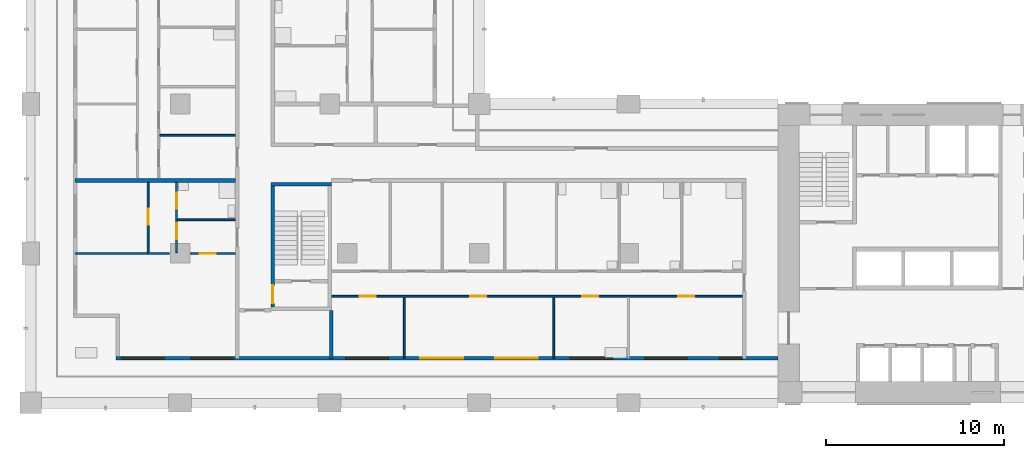
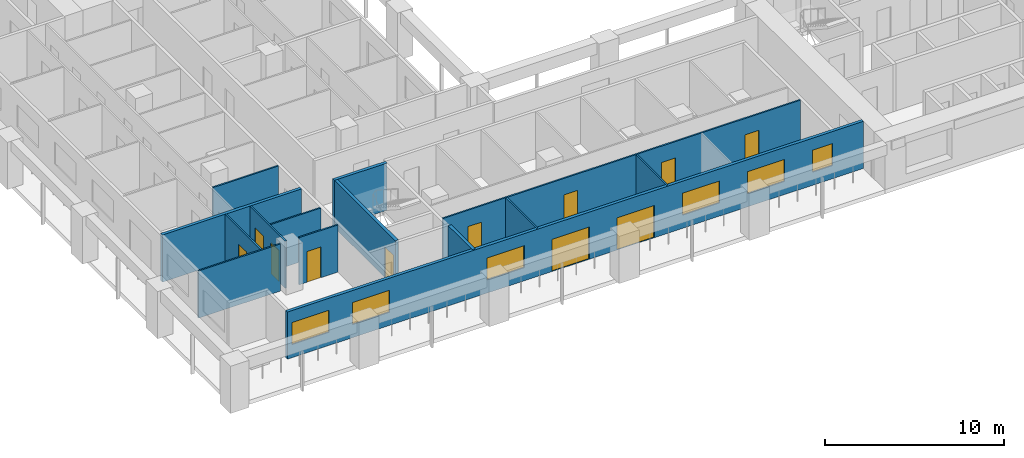
# One storey, part 2 of 17: 14 walls, 11 doors, 6 windows, 17 openings.
"""IFC4 building model written with IfcOpenShell, lengths in metres."""

from ifc_helpers import new_model, si_unit, direction, frame, frame_2d, origin, place, context, subcontext, project, spatial, rectangle, extrude, material, layer, layer_set, type_object, element, fill, save


model = new_model("IFC4")

# Units and contexts
model_context = context("Model", 3, precision=1e-05, world=origin(), true_north=direction((0.0, 1.0)))
body_context = subcontext(model_context, "Body", "Model", "MODEL_VIEW")
ifc_project = project(units=[si_unit("LENGTHUNIT", "METRE"), si_unit("AREAUNIT", "SQUARE_METRE"), si_unit("VOLUMEUNIT", "CUBIC_METRE"), si_unit("PLANEANGLEUNIT", "RADIAN"), si_unit("MASSUNIT", "GRAM", prefix="KILO")], contexts=[model_context])

# Site, building, storey
site_placement = place(None, origin())
site = spatial("IfcSite", under=ifc_project, at=site_placement, CompositionType="ELEMENT")
building_placement = place(site_placement, origin())
building = spatial("IfcBuilding", under=site, at=building_placement, Name="Vermilion Gate Residences", CompositionType="ELEMENT")
storey_placement = place(building_placement, frame((0.0, 0.0, 98.699951171875)))
storey = spatial("IfcBuildingStorey", under=building, at=storey_placement, Name="L24", CompositionType="ELEMENT", Elevation=98.699951171875)

# Wall, openings, doors, windows
ifc_material_1 = material(Name="Insulated steel stud wall with terracotta rainscreen", Category="masonry")
ifc_layer_1 = layer(ifc_material_1, 0.199951171875)
ifc_layer_set_1 = layer_set([ifc_layer_1], Name="EXTERNAL WALL 200 TERRACOTTA RAINSCREEN")
wall_type_1 = type_object("IfcWallType", Name="EXTERNAL WALL 200 TERRACOTTA RAINSCREEN", PredefinedType="SOLIDWALL", material=ifc_layer_set_1)
wall_1_placement = place(storey_placement, frame((4.800048828125, 10.89990234375, 0.0), z_axis=(0.0, 0.0, 1.0), x_axis=(1.0, 0.0, 0.0)))
wall_1 = element("IfcWall", 1, at=wall_1_placement, inside=storey, type_object=wall_type_1, Name="External wall", PredefinedType="SOLIDWALL", context=body_context, shape_type="SweptSolid", body=[
    extrude(rectangle(XDim=37.199951171875, YDim=0.199951171875, at=frame_2d((18.60009765625, 0.0))), origin(), (0.0, 0.0, 1.0), 3.219970703125),
])
opening_1_placement = place(wall_1_placement, frame((0.300048828125, 0.0, 0.89990234375)))
opening_1 = element("IfcOpeningElement", 2, at=opening_1_placement, cuts=wall_1, Name="Opening WE24012", PredefinedType="OPENING", context=body_context, shape_type="SweptSolid", body=[
    extrude(rectangle(XDim=2.39990234375, YDim=1.5, at=frame_2d((1.199951171875, 0.75))), frame((0.0, 0.10986328125, 0.0), z_axis=(0.0, -1.0, 0.0), x_axis=(1.0, 0.0, 0.0)), (0.0, 0.0, 1.0), 0.219970703125),
])
opening_2_placement = place(wall_1_placement, frame((4.199951171875, 0.0, 0.89990234375)))
opening_2 = element("IfcOpeningElement", 3, at=opening_2_placement, cuts=wall_1, Name="Opening WE24013", PredefinedType="OPENING", context=body_context, shape_type="SweptSolid", body=[
    extrude(rectangle(XDim=2.39990234375, YDim=1.5, at=frame_2d((1.199951171875, 0.75))), frame((0.0, 0.10986328125, 0.0), z_axis=(0.0, -1.0, 0.0), x_axis=(1.0, 0.0, 0.0)), (0.0, 0.0, 1.0), 0.219970703125),
])
opening_3_placement = place(wall_1_placement, frame((12.89990234375, 0.0, 0.89990234375)))
opening_3 = element("IfcOpeningElement", 4, at=opening_3_placement, cuts=wall_1, Name="Opening WE24014", PredefinedType="OPENING", context=body_context, shape_type="SweptSolid", body=[
    extrude(rectangle(XDim=2.39990234375, YDim=1.5, at=frame_2d((1.199951171875, 0.75))), frame((0.0, 0.10986328125, 0.0), z_axis=(0.0, -1.0, 0.0), x_axis=(1.0, 0.0, 0.0)), (0.0, 0.0, 1.0), 0.219970703125),
])
opening_4_placement = place(wall_1_placement, frame((17.10009765625, 0.0, 0.0)))
opening_4 = element("IfcOpeningElement", 5, at=opening_4_placement, cuts=wall_1, Name="Opening DE24015", PredefinedType="OPENING", context=body_context, shape_type="SweptSolid", body=[
    extrude(rectangle(XDim=2.39990234375, YDim=2.199951171875, at=frame_2d((1.199951171875, 1.10009765625))), frame((0.0, 0.10986328125, 0.0), z_axis=(0.0, -1.0, 0.0), x_axis=(1.0, 0.0, 0.0)), (0.0, 0.0, 1.0), 0.219970703125),
])
opening_5_placement = place(wall_1_placement, frame((21.300048828125, 0.0, 0.0)))
opening_5 = element("IfcOpeningElement", 6, at=opening_5_placement, cuts=wall_1, Name="Opening DE24016", PredefinedType="OPENING", context=body_context, shape_type="SweptSolid", body=[
    extrude(rectangle(XDim=2.39990234375, YDim=2.199951171875, at=frame_2d((1.199951171875, 1.10009765625))), frame((0.0, 0.10986328125, 0.0), z_axis=(0.0, -1.0, 0.0), x_axis=(1.0, 0.0, 0.0)), (0.0, 0.0, 1.0), 0.219970703125),
])
opening_6_placement = place(wall_1_placement, frame((25.5, 0.0, 0.89990234375)))
opening_6 = element("IfcOpeningElement", 7, at=opening_6_placement, cuts=wall_1, Name="Opening WE24017", PredefinedType="OPENING", context=body_context, shape_type="SweptSolid", body=[
    extrude(rectangle(XDim=2.39990234375, YDim=1.5, at=frame_2d((1.199951171875, 0.75))), frame((0.0, 0.10986328125, 0.0), z_axis=(0.0, -1.0, 0.0), x_axis=(1.0, 0.0, 0.0)), (0.0, 0.0, 1.0), 0.219970703125),
])
opening_7_placement = place(wall_1_placement, frame((29.699951171875, 0.0, 0.89990234375)))
opening_7 = element("IfcOpeningElement", 8, at=opening_7_placement, cuts=wall_1, Name="Opening WE24018", PredefinedType="OPENING", context=body_context, shape_type="SweptSolid", body=[
    extrude(rectangle(XDim=2.39990234375, YDim=1.5, at=frame_2d((1.199951171875, 0.75))), frame((0.0, 0.10986328125, 0.0), z_axis=(0.0, -1.0, 0.0), x_axis=(1.0, 0.0, 0.0)), (0.0, 0.0, 1.0), 0.219970703125),
])
opening_8_placement = place(wall_1_placement, frame((33.89990234375, 0.0, 0.89990234375)))
opening_8 = element("IfcOpeningElement", 9, at=opening_8_placement, cuts=wall_1, Name="Opening WE24019", PredefinedType="OPENING", context=body_context, shape_type="SweptSolid", body=[
    extrude(rectangle(XDim=1.300048828125, YDim=1.5, at=frame_2d((0.64990234375, 0.75))), frame((0.0, 0.10986328125, 0.0), z_axis=(0.0, -1.0, 0.0), x_axis=(1.0, 0.0, 0.0)), (0.0, 0.0, 1.0), 0.219970703125),
])
ifc_material_2 = material(Name="Aluminium and clear glass", Category="aluminium")
door_type_1 = type_object("IfcDoorType", Name="SLIDING GLAZED DOOR 2400 X 2200", OperationType="DOUBLE_DOOR_SLIDING", PredefinedType="DOOR", material=ifc_material_2)
door_1_placement = place(opening_4_placement, origin())
door_1 = element("IfcDoor", 10, at=door_1_placement, inside=storey, type_object=door_type_1, Name="Loggia sliding door", OperationType="DOUBLE_DOOR_SLIDING", OverallHeight=2.199951171875, OverallWidth=2.39990234375, PredefinedType="DOOR", context=body_context, shape_type="SweptSolid", body=[
    extrude(rectangle(XDim=2.39990234375, YDim=2.199951171875, at=frame_2d((1.199951171875, 1.10009765625))), frame((0.0, 0.02490234375, 0.0), z_axis=(0.0, -1.0, 0.0), x_axis=(1.0, 0.0, 0.0)), (0.0, 0.0, 1.0), 0.050048828125),
])
fill(opening_4, door_1)
door_2_placement = place(opening_5_placement, origin())
door_2 = element("IfcDoor", 11, at=door_2_placement, inside=storey, type_object=door_type_1, Name="Loggia sliding door", OperationType="DOUBLE_DOOR_SLIDING", OverallHeight=2.199951171875, OverallWidth=2.39990234375, PredefinedType="DOOR", context=body_context, shape_type="SweptSolid", body=[
    extrude(rectangle(XDim=2.39990234375, YDim=2.199951171875, at=frame_2d((1.199951171875, 1.10009765625))), frame((0.0, 0.02490234375, 0.0), z_axis=(0.0, -1.0, 0.0), x_axis=(1.0, 0.0, 0.0)), (0.0, 0.0, 1.0), 0.050048828125),
])
fill(opening_5, door_2)
ifc_material_3 = material(Name="Aluminium and clear glass", Category="aluminium")
window_type_1 = type_object("IfcWindowType", Name="WINDOW 1300 X 1500", PartitioningType="SINGLE_PANEL", PredefinedType="WINDOW", material=ifc_material_3)
window_1_placement = place(opening_8_placement, origin())
window_1 = element("IfcWindow", 12, at=window_1_placement, inside=storey, type_object=window_type_1, Name="Window", OverallHeight=1.5, OverallWidth=1.300048828125, PartitioningType="SINGLE_PANEL", PredefinedType="WINDOW", context=body_context, shape_type="SweptSolid", body=[
    extrude(rectangle(XDim=1.300048828125, YDim=1.5, at=frame_2d((0.64990234375, 0.75))), frame((0.0, 0.030029296875, 0.0), z_axis=(0.0, -1.0, 0.0), x_axis=(1.0, 0.0, 0.0)), (0.0, 0.0, 1.0), 0.06005859375),
])
fill(opening_8, window_1)
ifc_material_4 = material(Name="Aluminium and clear glass", Category="aluminium")
window_type_2 = type_object("IfcWindowType", Name="WINDOW 2400 X 1500", PartitioningType="SINGLE_PANEL", PredefinedType="WINDOW", material=ifc_material_4)
window_2_placement = place(opening_1_placement, origin())
window_2 = element("IfcWindow", 13, at=window_2_placement, inside=storey, type_object=window_type_2, Name="Window", OverallHeight=1.5, OverallWidth=2.39990234375, PartitioningType="SINGLE_PANEL", PredefinedType="WINDOW", context=body_context, shape_type="SweptSolid", body=[
    extrude(rectangle(XDim=2.39990234375, YDim=1.5, at=frame_2d((1.199951171875, 0.75))), frame((0.0, 0.030029296875, 0.0), z_axis=(0.0, -1.0, 0.0), x_axis=(1.0, 0.0, 0.0)), (0.0, 0.0, 1.0), 0.06005859375),
])
fill(opening_1, window_2)
window_3_placement = place(opening_2_placement, origin())
window_3 = element("IfcWindow", 14, at=window_3_placement, inside=storey, type_object=window_type_2, Name="Window", OverallHeight=1.5, OverallWidth=2.39990234375, PartitioningType="SINGLE_PANEL", PredefinedType="WINDOW", context=body_context, shape_type="SweptSolid", body=[
    extrude(rectangle(XDim=2.39990234375, YDim=1.5, at=frame_2d((1.199951171875, 0.75))), frame((0.0, 0.030029296875, 0.0), z_axis=(0.0, -1.0, 0.0), x_axis=(1.0, 0.0, 0.0)), (0.0, 0.0, 1.0), 0.06005859375),
])
fill(opening_2, window_3)
window_4_placement = place(opening_3_placement, origin())
window_4 = element("IfcWindow", 15, at=window_4_placement, inside=storey, type_object=window_type_2, Name="Window", OverallHeight=1.5, OverallWidth=2.39990234375, PartitioningType="SINGLE_PANEL", PredefinedType="WINDOW", context=body_context, shape_type="SweptSolid", body=[
    extrude(rectangle(XDim=2.39990234375, YDim=1.5, at=frame_2d((1.199951171875, 0.75))), frame((0.0, 0.030029296875, 0.0), z_axis=(0.0, -1.0, 0.0), x_axis=(1.0, 0.0, 0.0)), (0.0, 0.0, 1.0), 0.06005859375),
])
fill(opening_3, window_4)
window_5_placement = place(opening_6_placement, origin())
window_5 = element("IfcWindow", 16, at=window_5_placement, inside=storey, type_object=window_type_2, Name="Window", OverallHeight=1.5, OverallWidth=2.39990234375, PartitioningType="SINGLE_PANEL", PredefinedType="WINDOW", context=body_context, shape_type="SweptSolid", body=[
    extrude(rectangle(XDim=2.39990234375, YDim=1.5, at=frame_2d((1.199951171875, 0.75))), frame((0.0, 0.030029296875, 0.0), z_axis=(0.0, -1.0, 0.0), x_axis=(1.0, 0.0, 0.0)), (0.0, 0.0, 1.0), 0.06005859375),
])
fill(opening_6, window_5)
window_6_placement = place(opening_7_placement, origin())
window_6 = element("IfcWindow", 17, at=window_6_placement, inside=storey, type_object=window_type_2, Name="Window", OverallHeight=1.5, OverallWidth=2.39990234375, PartitioningType="SINGLE_PANEL", PredefinedType="WINDOW", context=body_context, shape_type="SweptSolid", body=[
    extrude(rectangle(XDim=2.39990234375, YDim=1.5, at=frame_2d((1.199951171875, 0.75))), frame((0.0, 0.030029296875, 0.0), z_axis=(0.0, -1.0, 0.0), x_axis=(1.0, 0.0, 0.0)), (0.0, 0.0, 1.0), 0.06005859375),
])
fill(opening_7, window_6)

# Wall, openings, doors
ifc_material_5 = material(Name="Plasterboard on steel studs", Category="steel")
ifc_layer_2 = layer(ifc_material_5, 0.10009765625)
ifc_layer_set_2 = layer_set([ifc_layer_2], Name="PARTITION 100")
wall_type_2 = type_object("IfcWallType", Name="PARTITION 100", PredefinedType="PARTITIONING", material=ifc_layer_set_2)
wall_2_placement = place(storey_placement, frame((16.89990234375, 14.39990234375, 0.0), z_axis=(0.0, 0.0, 1.0), x_axis=(1.0, 0.0, 0.0)))
wall_2 = element("IfcWall", 18, at=wall_2_placement, inside=storey, type_object=wall_type_2, Name="Partition", PredefinedType="PARTITIONING", context=body_context, shape_type="SweptSolid", body=[
    extrude(rectangle(XDim=23.10009765625, YDim=0.10009765625, at=frame_2d((11.550048828125, 0.0))), origin(), (0.0, 0.0, 1.0), 3.219970703125),
])
opening_9_placement = place(wall_2_placement, frame((1.60009765625, 0.0, 0.0)))
opening_9 = element("IfcOpeningElement", 19, at=opening_9_placement, cuts=wall_2, Name="Opening DA22002", PredefinedType="OPENING", context=body_context, shape_type="SweptSolid", body=[
    extrude(rectangle(XDim=0.89990234375, YDim=2.10009765625, at=frame_2d((0.449951171875, 1.050048828125))), frame((0.0, 0.06005859375, 0.0), z_axis=(0.0, -1.0, 0.0), x_axis=(1.0, 0.0, 0.0)), (0.0, 0.0, 1.0), 0.1201171875),
])
opening_10_placement = place(wall_2_placement, frame((7.800048828125, 0.0, 0.0)))
opening_10 = element("IfcOpeningElement", 20, at=opening_10_placement, cuts=wall_2, Name="Opening DA22003", PredefinedType="OPENING", context=body_context, shape_type="SweptSolid", body=[
    extrude(rectangle(XDim=0.89990234375, YDim=2.10009765625, at=frame_2d((0.449951171875, 1.050048828125))), frame((0.0, 0.06005859375, 0.0), z_axis=(0.0, -1.0, 0.0), x_axis=(1.0, 0.0, 0.0)), (0.0, 0.0, 1.0), 0.1201171875),
])
opening_11_placement = place(wall_2_placement, frame((14.10009765625, 0.0, 0.0)))
opening_11 = element("IfcOpeningElement", 21, at=opening_11_placement, cuts=wall_2, Name="Opening DA22004", PredefinedType="OPENING", context=body_context, shape_type="SweptSolid", body=[
    extrude(rectangle(XDim=0.89990234375, YDim=2.10009765625, at=frame_2d((0.449951171875, 1.050048828125))), frame((0.0, 0.06005859375, 0.0), z_axis=(0.0, -1.0, 0.0), x_axis=(1.0, 0.0, 0.0)), (0.0, 0.0, 1.0), 0.1201171875),
])
opening_12_placement = place(wall_2_placement, frame((19.5, 0.0, 0.0)))
opening_12 = element("IfcOpeningElement", 22, at=opening_12_placement, cuts=wall_2, Name="Opening DA22005", PredefinedType="OPENING", context=body_context, shape_type="SweptSolid", body=[
    extrude(rectangle(XDim=0.89990234375, YDim=2.10009765625, at=frame_2d((0.449951171875, 1.050048828125))), frame((0.0, 0.06005859375, 0.0), z_axis=(0.0, -1.0, 0.0), x_axis=(1.0, 0.0, 0.0)), (0.0, 0.0, 1.0), 0.1201171875),
])
ifc_material_6 = material(Name="Timber", Category="wood")
door_type_2 = type_object("IfcDoorType", Name="INTERIOR DOOR 900 X 2100", OperationType="SINGLE_SWING_LEFT", PredefinedType="DOOR", material=ifc_material_6)
door_3_placement = place(opening_9_placement, frame((0.89990234375, 0.0, 0.0), z_axis=(0.0, 0.0, 1.0), x_axis=(-1.0, 0.0, 0.0)))
door_3 = element("IfcDoor", 23, at=door_3_placement, inside=storey, type_object=door_type_2, Name="Interior door", OperationType="SINGLE_SWING_LEFT", OverallHeight=2.10009765625, OverallWidth=0.89990234375, PredefinedType="DOOR", context=body_context, shape_type="SweptSolid", body=[
    extrude(rectangle(XDim=0.89990234375, YDim=2.10009765625, at=frame_2d((0.449951171875, 1.050048828125))), frame((0.0, 0.02490234375, 0.0), z_axis=(0.0, -1.0, 0.0), x_axis=(1.0, 0.0, 0.0)), (0.0, 0.0, 1.0), 0.050048828125),
])
fill(opening_9, door_3)
door_4_placement = place(opening_10_placement, frame((0.89990234375, 0.0, 0.0), z_axis=(0.0, 0.0, 1.0), x_axis=(-1.0, 0.0, 0.0)))
door_4 = element("IfcDoor", 24, at=door_4_placement, inside=storey, type_object=door_type_2, Name="Interior door", OperationType="SINGLE_SWING_RIGHT", OverallHeight=2.10009765625, OverallWidth=0.89990234375, PredefinedType="DOOR", context=body_context, shape_type="SweptSolid", body=[
    extrude(rectangle(XDim=0.89990234375, YDim=2.10009765625, at=frame_2d((0.449951171875, 1.050048828125))), frame((0.0, 0.02490234375, 0.0), z_axis=(0.0, -1.0, 0.0), x_axis=(1.0, 0.0, 0.0)), (0.0, 0.0, 1.0), 0.050048828125),
])
fill(opening_10, door_4)
door_5_placement = place(opening_11_placement, frame((0.89990234375, 0.0, 0.0), z_axis=(0.0, 0.0, 1.0), x_axis=(-1.0, 0.0, 0.0)))
door_5 = element("IfcDoor", 25, at=door_5_placement, inside=storey, type_object=door_type_2, Name="Interior door", OperationType="SINGLE_SWING_RIGHT", OverallHeight=2.10009765625, OverallWidth=0.89990234375, PredefinedType="DOOR", context=body_context, shape_type="SweptSolid", body=[
    extrude(rectangle(XDim=0.89990234375, YDim=2.10009765625, at=frame_2d((0.449951171875, 1.050048828125))), frame((0.0, 0.02490234375, 0.0), z_axis=(0.0, -1.0, 0.0), x_axis=(1.0, 0.0, 0.0)), (0.0, 0.0, 1.0), 0.050048828125),
])
fill(opening_11, door_5)
door_6_placement = place(opening_12_placement, frame((0.89990234375, 0.0, 0.0), z_axis=(0.0, 0.0, 1.0), x_axis=(-1.0, 0.0, 0.0)))
door_6 = element("IfcDoor", 26, at=door_6_placement, inside=storey, type_object=door_type_2, Name="Interior door", OperationType="SINGLE_SWING_LEFT", OverallHeight=2.10009765625, OverallWidth=0.89990234375, PredefinedType="DOOR", context=body_context, shape_type="SweptSolid", body=[
    extrude(rectangle(XDim=0.89990234375, YDim=2.10009765625, at=frame_2d((0.449951171875, 1.050048828125))), frame((0.0, 0.02490234375, 0.0), z_axis=(0.0, -1.0, 0.0), x_axis=(1.0, 0.0, 0.0)), (0.0, 0.0, 1.0), 0.050048828125),
])
fill(opening_12, door_6)

# Wall
wall_3_placement = place(storey_placement, frame((2.5, 16.800048828125, 0.0), z_axis=(0.0, 0.0, 1.0), x_axis=(1.0, 0.0, 0.0)))
element("IfcWall", 27, at=wall_3_placement, inside=storey, type_object=wall_type_2, Name="Partition", PredefinedType="PARTITIONING", context=body_context, shape_type="SweptSolid", body=[
    extrude(rectangle(XDim=5.300048828125, YDim=0.10009765625, at=frame_2d((2.64990234375, 0.0))), origin(), (0.0, 0.0, 1.0), 3.219970703125),
])

# Wall, opening, door
wall_4_placement = place(storey_placement, frame((9.0, 16.800048828125, 0.0), z_axis=(0.0, 0.0, 1.0), x_axis=(1.0, 0.0, 0.0)))
wall_4 = element("IfcWall", 28, at=wall_4_placement, inside=storey, type_object=wall_type_2, Name="Partition", PredefinedType="PARTITIONING", context=body_context, shape_type="SweptSolid", body=[
    extrude(rectangle(XDim=2.5, YDim=0.10009765625, at=frame_2d((1.25, 0.0))), origin(), (0.0, 0.0, 1.0), 3.219970703125),
])
opening_13_placement = place(wall_4_placement, frame((0.5, 0.0, 0.0)))
opening_13 = element("IfcOpeningElement", 29, at=opening_13_placement, cuts=wall_4, Name="Opening DA22013", PredefinedType="OPENING", context=body_context, shape_type="SweptSolid", body=[
    extrude(rectangle(XDim=0.89990234375, YDim=2.10009765625, at=frame_2d((0.449951171875, 1.050048828125))), frame((0.0, 0.06005859375, 0.0), z_axis=(0.0, -1.0, 0.0), x_axis=(1.0, 0.0, 0.0)), (0.0, 0.0, 1.0), 0.1201171875),
])
door_7_placement = place(opening_13_placement, frame((0.89990234375, 0.0, 0.0), z_axis=(0.0, 0.0, 1.0), x_axis=(-1.0, 0.0, 0.0)))
door_7 = element("IfcDoor", 30, at=door_7_placement, inside=storey, type_object=door_type_2, Name="Interior door", OperationType="SINGLE_SWING_RIGHT", OverallHeight=2.10009765625, OverallWidth=0.89990234375, PredefinedType="DOOR", context=body_context, shape_type="SweptSolid", body=[
    extrude(rectangle(XDim=0.89990234375, YDim=2.10009765625, at=frame_2d((0.449951171875, 1.050048828125))), frame((0.0, 0.02490234375, 0.0), z_axis=(0.0, -1.0, 0.0), x_axis=(1.0, 0.0, 0.0)), (0.0, 0.0, 1.0), 0.050048828125),
])
fill(opening_13, door_7)

# Walls
wall_5_placement = place(storey_placement, frame((8.25, 18.699951171875, 0.0), z_axis=(0.0, 0.0, 1.0), x_axis=(1.0, 0.0, 0.0)))
element("IfcWall", 31, at=wall_5_placement, inside=storey, type_object=wall_type_2, Name="Partition", PredefinedType="PARTITIONING", context=body_context, shape_type="SweptSolid", body=[
    extrude(rectangle(XDim=3.25, YDim=0.10009765625, at=frame_2d((1.625, 0.0))), origin(), (0.0, 0.0, 1.0), 3.219970703125),
])
wall_6_placement = place(storey_placement, frame((7.25, 23.43798828125, 0.0), z_axis=(0.0, 0.0, 1.0), x_axis=(1.0, 0.0, 0.0)))
element("IfcWall", 32, at=wall_6_placement, inside=storey, type_object=wall_type_2, Name="Partition", PredefinedType="PARTITIONING", context=body_context, shape_type="SweptSolid", body=[
    extrude(rectangle(XDim=4.25, YDim=0.10009765625, at=frame_2d((2.125, 0.0))), origin(), (0.0, 0.0, 1.0), 3.219970703125),
])

# Wall, opening, door
wall_7_placement = place(storey_placement, frame((6.60009765625, 16.85009765625, 0.0), z_axis=(0.0, 0.0, 1.0), x_axis=(0.0, 1.0, 0.0)))
wall_7 = element("IfcWall", 33, at=wall_7_placement, inside=storey, type_object=wall_type_2, Name="Partition", PredefinedType="PARTITIONING", context=body_context, shape_type="SweptSolid", body=[
    extrude(rectangle(XDim=3.949951171875, YDim=0.10009765625, at=frame_2d((1.97509765625, 0.0))), origin(), (0.0, 0.0, 1.0), 3.219970703125),
])
opening_14_placement = place(wall_7_placement, frame((1.550048828125, 0.0, 0.0)))
opening_14 = element("IfcOpeningElement", 34, at=opening_14_placement, cuts=wall_7, Name="Opening DA22025", PredefinedType="OPENING", context=body_context, shape_type="SweptSolid", body=[
    extrude(rectangle(XDim=0.89990234375, YDim=2.10009765625, at=frame_2d((0.449951171875, 1.050048828125))), frame((0.0, 0.06005859375, 0.0), z_axis=(0.0, -1.0, 0.0), x_axis=(1.0, 0.0, 0.0)), (0.0, 0.0, 1.0), 0.1201171875),
])
door_8_placement = place(opening_14_placement, origin())
door_8 = element("IfcDoor", 35, at=door_8_placement, inside=storey, type_object=door_type_2, Name="Interior door", OperationType="SINGLE_SWING_RIGHT", OverallHeight=2.10009765625, OverallWidth=0.89990234375, PredefinedType="DOOR", context=body_context, shape_type="SweptSolid", body=[
    extrude(rectangle(XDim=0.89990234375, YDim=2.10009765625, at=frame_2d((0.449951171875, 1.050048828125))), frame((0.0, 0.02490234375, 0.0), z_axis=(0.0, -1.0, 0.0), x_axis=(1.0, 0.0, 0.0)), (0.0, 0.0, 1.0), 0.050048828125),
])
fill(opening_14, door_8)

# Wall, openings, doors
wall_8_placement = place(storey_placement, frame((8.199951171875, 16.85009765625, 0.0), z_axis=(0.0, 0.0, 1.0), x_axis=(0.0, 1.0, 0.0)))
wall_8 = element("IfcWall", 36, at=wall_8_placement, inside=storey, type_object=wall_type_2, Name="Partition", PredefinedType="PARTITIONING", context=body_context, shape_type="SweptSolid", body=[
    extrude(rectangle(XDim=3.949951171875, YDim=0.10009765625, at=frame_2d((1.97509765625, 0.0))), origin(), (0.0, 0.0, 1.0), 3.219970703125),
])
opening_15_placement = place(wall_8_placement, frame((0.75, 0.0, 0.0)))
opening_15 = element("IfcOpeningElement", 37, at=opening_15_placement, cuts=wall_8, Name="Opening DA22034", PredefinedType="OPENING", context=body_context, shape_type="SweptSolid", body=[
    extrude(rectangle(XDim=0.89990234375, YDim=2.10009765625, at=frame_2d((0.449951171875, 1.050048828125))), frame((0.0, 0.06005859375, 0.0), z_axis=(0.0, -1.0, 0.0), x_axis=(1.0, 0.0, 0.0)), (0.0, 0.0, 1.0), 0.1201171875),
])
opening_16_placement = place(wall_8_placement, frame((2.449951171875, 0.0, 0.0)))
opening_16 = element("IfcOpeningElement", 38, at=opening_16_placement, cuts=wall_8, Name="Opening DA22035", PredefinedType="OPENING", context=body_context, shape_type="SweptSolid", body=[
    extrude(rectangle(XDim=0.89990234375, YDim=2.10009765625, at=frame_2d((0.449951171875, 1.050048828125))), frame((0.0, 0.06005859375, 0.0), z_axis=(0.0, -1.0, 0.0), x_axis=(1.0, 0.0, 0.0)), (0.0, 0.0, 1.0), 0.1201171875),
])
door_9_placement = place(opening_15_placement, frame((0.89990234375, 0.0, 0.0), z_axis=(0.0, 0.0, 1.0), x_axis=(-1.0, 0.0, 0.0)))
door_9 = element("IfcDoor", 39, at=door_9_placement, inside=storey, type_object=door_type_2, Name="Interior door", OperationType="SINGLE_SWING_LEFT", OverallHeight=2.10009765625, OverallWidth=0.89990234375, PredefinedType="DOOR", context=body_context, shape_type="SweptSolid", body=[
    extrude(rectangle(XDim=0.89990234375, YDim=2.10009765625, at=frame_2d((0.449951171875, 1.050048828125))), frame((0.0, 0.02490234375, 0.0), z_axis=(0.0, -1.0, 0.0), x_axis=(1.0, 0.0, 0.0)), (0.0, 0.0, 1.0), 0.050048828125),
])
fill(opening_15, door_9)
door_10_placement = place(opening_16_placement, frame((0.89990234375, 0.0, 0.0), z_axis=(0.0, 0.0, 1.0), x_axis=(-1.0, 0.0, 0.0)))
door_10 = element("IfcDoor", 40, at=door_10_placement, inside=storey, type_object=door_type_2, Name="Interior door", OperationType="SINGLE_SWING_LEFT", OverallHeight=2.10009765625, OverallWidth=0.89990234375, PredefinedType="DOOR", context=body_context, shape_type="SweptSolid", body=[
    extrude(rectangle(XDim=0.89990234375, YDim=2.10009765625, at=frame_2d((0.449951171875, 1.050048828125))), frame((0.0, 0.02490234375, 0.0), z_axis=(0.0, -1.0, 0.0), x_axis=(1.0, 0.0, 0.0)), (0.0, 0.0, 1.0), 0.050048828125),
])
fill(opening_16, door_10)

# Walls
for number, where, z_axis, x_axis, name in (
    (41, (21.0, 10.89990234375, 0.0), (0.0, 0.0, 1.0), (0.0, 1.0, 0.0), "Partition"),
    (42, (29.39990234375, 10.89990234375, 0.0), (0.0, 0.0, 1.0), (0.0, 1.0, 0.0), "Partition"),
):
    element("IfcWall", number, at=place(storey_placement, frame(where, z_axis=z_axis, x_axis=x_axis)), inside=storey, type_object=wall_type_2, Name=name, PredefinedType="PARTITIONING", context=body_context, shape_type="SweptSolid", body=[
        extrude(rectangle(XDim=3.4501953125, YDim=0.10009765625, at=frame_2d((1.72509765625, 0.0))), origin(), (0.0, 0.0, 1.0), 3.219970703125),
    ])
ifc_material_7 = material(Name="Fire-rated plasterboard on steel studs", Category="steel")
ifc_layer_3 = layer(ifc_material_7, 0.199951171875)
ifc_layer_set_3 = layer_set([ifc_layer_3], Name="PARTY WALL 200 EI 120")
wall_type_3 = type_object("IfcWallType", Name="PARTY WALL 200 EI 120", PredefinedType="PARTITIONING", material=ifc_layer_set_3)
wall_9_placement = place(storey_placement, frame((2.5, 20.89990234375, 0.0), z_axis=(0.0, 0.0, 1.0), x_axis=(1.0, 0.0, 0.0)))
element("IfcWall", 43, at=wall_9_placement, inside=storey, type_object=wall_type_3, Name="Party and corridor wall", PredefinedType="PARTITIONING", context=body_context, shape_type="SweptSolid", body=[
    extrude(rectangle(XDim=9.0, YDim=0.199951171875, at=frame_2d((4.5, 0.0))), origin(), (0.0, 0.0, 1.0), 3.219970703125),
])
wall_10_placement = place(storey_placement, frame((16.89990234375, 10.89990234375, 0.0), z_axis=(0.0, 0.0, 1.0), x_axis=(0.0, 1.0, 0.0)))
element("IfcWall", 44, at=wall_10_placement, inside=storey, type_object=wall_type_3, Name="Party and corridor wall", PredefinedType="PARTITIONING", context=body_context, shape_type="SweptSolid", body=[
    extrude(rectangle(XDim=2.7001953125, YDim=0.199951171875, at=frame_2d((1.35009765625, 0.0))), origin(), (0.0, 0.0, 1.0), 3.219970703125),
])

# Wall, opening, door
ifc_material_8 = material(Name="Concrete C60", Category="concrete")
ifc_layer_4 = layer(ifc_material_8, 0.199951171875)
ifc_layer_set_4 = layer_set([ifc_layer_4], Name="RC CORE INTERNAL WALL 200 C60")
wall_type_4 = type_object("IfcWallType", Name="RC CORE INTERNAL WALL 200 C60", PredefinedType="SHEAR", material=ifc_layer_set_4)
wall_11_placement = place(storey_placement, frame((13.60009765625, 13.800048828125, 0.0), z_axis=(0.0, 0.0, 1.0), x_axis=(0.0, 1.0, 0.0)))
wall_11 = element("IfcWall", 45, at=wall_11_placement, inside=storey, type_object=wall_type_4, Name="Core internal wall C24-W", PredefinedType="SHEAR", context=body_context, shape_type="SweptSolid", body=[
    extrude(rectangle(XDim=6.800048828125, YDim=0.199951171875, at=frame_2d((3.39990234375, 0.0))), origin(), (0.0, 0.0, 1.0), 3.219970703125),
])
opening_17_placement = place(wall_11_placement, frame((0.199951171875, 0.0, 0.0)))
opening_17 = element("IfcOpeningElement", 46, at=opening_17_placement, cuts=wall_11, Name="Opening DK24201", PredefinedType="OPENING", context=body_context, shape_type="SweptSolid", body=[
    extrude(rectangle(XDim=1.0, YDim=2.10009765625, at=frame_2d((0.5, 1.050048828125))), frame((0.0, 0.10986328125, 0.0), z_axis=(0.0, -1.0, 0.0), x_axis=(1.0, 0.0, 0.0)), (0.0, 0.0, 1.0), 0.219970703125),
])
ifc_material_9 = material(Name="Steel", Category="steel")
door_type_3 = type_object("IfcDoorType", Name="FIRE DOOR FD60 1000 X 2100", OperationType="SINGLE_SWING_LEFT", PredefinedType="DOOR", material=ifc_material_9)
door_11_placement = place(opening_17_placement, frame((1.0, 0.0, 0.0), z_axis=(0.0, 0.0, 1.0), x_axis=(-1.0, 0.0, 0.0)))
door_11 = element("IfcDoor", 47, at=door_11_placement, inside=storey, type_object=door_type_3, Name="Stair vestibule door C24", OperationType="SINGLE_SWING_LEFT", OverallHeight=2.10009765625, OverallWidth=1.0, PredefinedType="DOOR", context=body_context, shape_type="SweptSolid", body=[
    extrude(rectangle(XDim=1.0, YDim=2.10009765625, at=frame_2d((0.5, 1.050048828125))), frame((0.0, 0.02490234375, 0.0), z_axis=(0.0, -1.0, 0.0), x_axis=(1.0, 0.0, 0.0)), (0.0, 0.0, 1.0), 0.050048828125),
])
fill(opening_17, door_11)

# Wall
wall_12_placement = place(storey_placement, frame((13.5, 20.699951171875, 0.0), z_axis=(0.0, 0.0, 1.0), x_axis=(1.0, 0.0, 0.0)))
element("IfcWall", 48, at=wall_12_placement, inside=storey, type_object=wall_type_4, Name="Core internal wall C24-N", PredefinedType="SHEAR", context=body_context, shape_type="SweptSolid", body=[
    extrude(rectangle(XDim=3.39990234375, YDim=0.199951171875, at=frame_2d((1.699951171875, 0.0))), origin(), (0.0, 0.0, 1.0), 3.219970703125),
])

save(model, "model.ifc")
